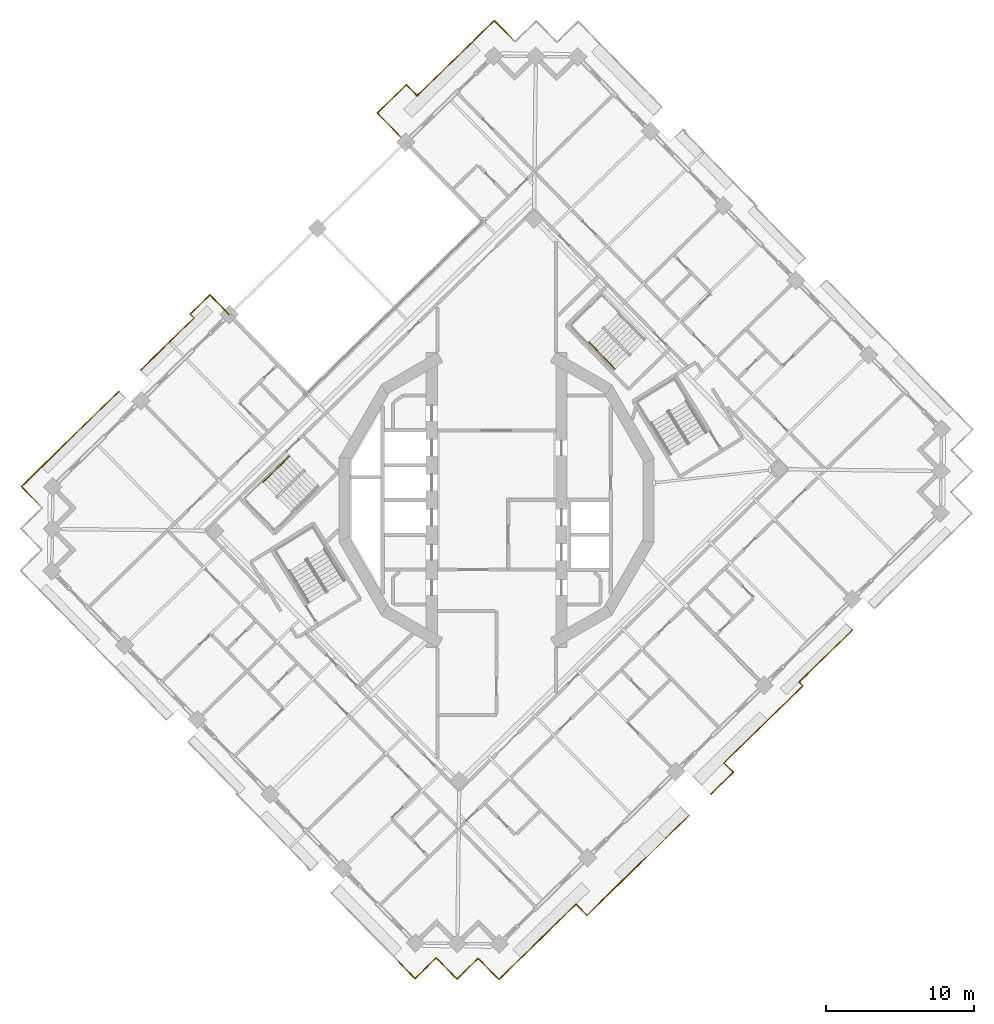
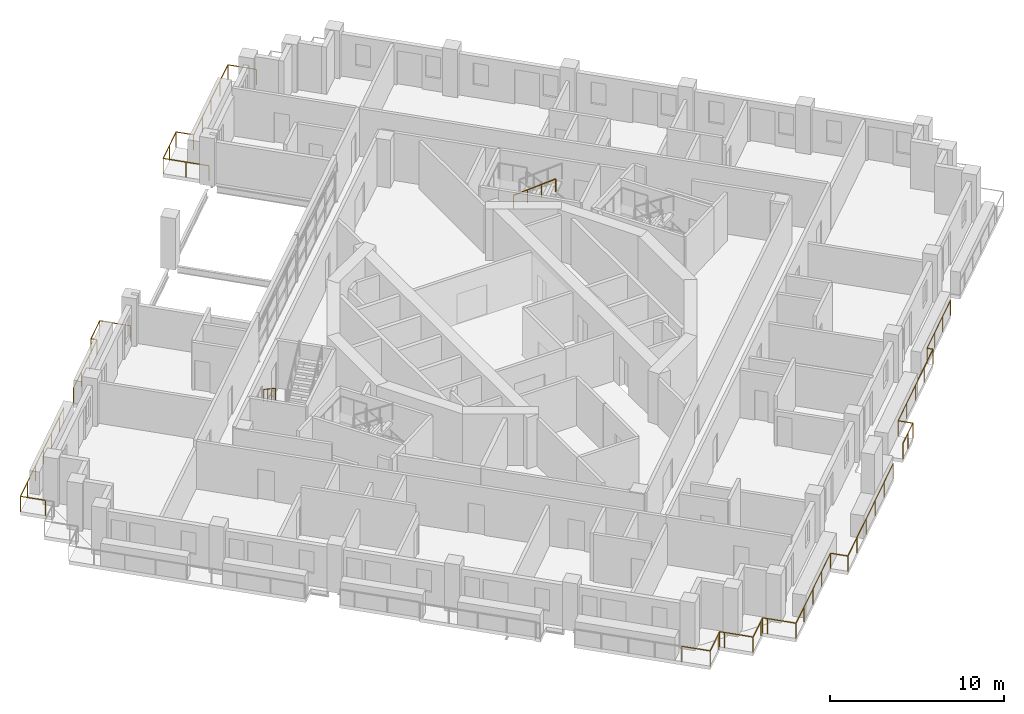
# One storey, part 15 of 18: 8 railings.
"""IFC4 building model written with IfcOpenShell, lengths in metres."""

import ifcopenshell
import ifcopenshell.guid

model = None  # the IFC model being written
_history = None  # IfcOwnerHistory: only IFC2X3 demands one
_inside = {}  # id of a spatial element -> (the spatial element, [elements in it])
_under = {}  # id of a project, library or spatial element -> (it, [spatial elements below it])
_declared = {}  # id of a project -> (the project, [libraries it declares])
_typed = {}  # id of a type object -> (the type object, [elements of that type])
_made_of = {}  # id of a material, layer set ... -> (it, [elements and type objects made of it])


def new_model(schema):
    """Start an empty IFC model of exactly this schema.

    Asked for "IFC4X3", IfcOpenShell would pick the latest addendum, in which some entities
    have other attributes; the version numbers below select the first issue.
    IFC2X3 requires an IfcOwnerHistory on every rooted entity: one is made here for all.
    """
    global model, _history
    if schema == "IFC4X3":
        model = ifcopenshell.file(schema_version=(4, 3, 0, 0))
    else:
        model = ifcopenshell.file(schema=schema)
    _inside.clear()
    _under.clear()
    _declared.clear()
    _typed.clear()
    _made_of.clear()
    _history = None
    if model.schema == "IFC2X3":
        org = make("IfcOrganization", Name="unknown")
        user = make(
            "IfcPersonAndOrganization",
            ThePerson=make("IfcPerson", FamilyName="unknown"),
            TheOrganization=org,
        )
        app = make(
            "IfcApplication",
            ApplicationDeveloper=org,
            Version="unknown",
            ApplicationFullName="unknown",
            ApplicationIdentifier="unknown",
        )
        _history = make(
            "IfcOwnerHistory",
            OwningUser=user,
            OwningApplication=app,
            ChangeAction="ADDED",
            CreationDate=0,
        )
    return model


def make(cls, **values):
    """One entity of the class cls with the attributes given. An attribute that is None is left unset."""
    return model.create_entity(
        cls, **{name: value for name, value in values.items() if value is not None}
    )


def rooted(cls, **values):
    """An entity with a GlobalId (a new one), such as an element, a storey or a relation."""
    return make(cls, GlobalId=ifcopenshell.guid.new(), OwnerHistory=_history, **values)


def si_unit(unit_type, name, prefix=None):
    """IfcSIUnit, for example si_unit("LENGTHUNIT", "METRE", prefix="MILLI")."""
    return make("IfcSIUnit", UnitType=unit_type, Prefix=prefix, Name=name)


def assignment(units):
    """IfcUnitAssignment: the units of a project."""
    return None if units is None else make("IfcUnitAssignment", Units=units)


def point(xyz):
    """IfcCartesianPoint."""
    return None if xyz is None else make("IfcCartesianPoint", Coordinates=xyz)


def direction(xyz):
    """IfcDirection."""
    return None if xyz is None else make("IfcDirection", DirectionRatios=xyz)


def frame(location, z_axis=None, x_axis=None):
    """IfcAxis2Placement3D, a coordinate frame: its origin and axes. An axis left out is left unset."""
    return make(
        "IfcAxis2Placement3D",
        Location=point(location),
        Axis=direction(z_axis),
        RefDirection=direction(x_axis),
    )


def frame_2d(location, x_axis=None):
    """IfcAxis2Placement2D, a coordinate frame in the plane: its origin and x axis."""
    return make(
        "IfcAxis2Placement2D", Location=point(location), RefDirection=direction(x_axis)
    )


def origin():
    """The frame at (0, 0, 0) with its axes left unset."""
    return frame((0.0, 0.0, 0.0))


def origin_2d():
    """The frame at (0, 0) in the plane with its x axis left unset."""
    return frame_2d((0.0, 0.0))


def place(relative_to, where):
    """IfcLocalPlacement: puts the frame where relative to a parent placement (None: the world)."""
    return make(
        "IfcLocalPlacement", PlacementRelTo=relative_to, RelativePlacement=where
    )


def context(
    kind, dimensions, precision=None, world=None, true_north=None, identifier=None
):
    """IfcGeometricRepresentationContext, for example the 3D "Model" context."""
    return make(
        "IfcGeometricRepresentationContext",
        ContextIdentifier=identifier,
        ContextType=kind,
        CoordinateSpaceDimension=dimensions,
        Precision=precision,
        WorldCoordinateSystem=world,
        TrueNorth=true_north,
    )


def subcontext(parent, identifier, kind, view, scale=None):
    """IfcGeometricRepresentationSubContext, for example "Body" below "Model"."""
    return make(
        "IfcGeometricRepresentationSubContext",
        ContextIdentifier=identifier,
        ContextType=kind,
        ParentContext=parent,
        TargetScale=scale,
        TargetView=view,
    )


def project(units=None, contexts=None):
    """IfcProject with its units and contexts."""
    return rooted(
        "IfcProject",
        Name="project",
        RepresentationContexts=contexts,
        UnitsInContext=assignment(units),
    )


def spatial(cls, under=None, at=None, **own):
    """A site, building, storey or space (cls), placed at a placement, below another one or the project."""
    s = rooted(cls, ObjectPlacement=at, **own)
    if under is not None:
        _under.setdefault(under.id(), (under, []))[1].append(s)
    return s


def profile(cls, at=None, kind="AREA", **sizes):
    """A parametric profile (cls). Its sizes go by their IFC names, for example OverallWidth=200.0."""
    return make(cls, ProfileType=kind, Position=at, **sizes)


def circle(**sizes):
    """IfcCircleProfileDef."""
    return profile("IfcCircleProfileDef", **sizes)


def extrude(swept, where, along, depth):
    """IfcExtrudedAreaSolid: the profile swept, set in the frame where, extruded along a direction by depth."""
    return make(
        "IfcExtrudedAreaSolid",
        SweptArea=swept,
        Position=where,
        ExtrudedDirection=direction(along),
        Depth=depth,
    )


def shape(context_of_items, identifier, shape_type, items):
    """IfcShapeRepresentation: the items that make up one representation, for example the "Body"."""
    return make(
        "IfcShapeRepresentation",
        ContextOfItems=context_of_items,
        RepresentationIdentifier=identifier,
        RepresentationType=shape_type,
        Items=items,
    )


def material(Name=None, Category=None):
    """IfcMaterial."""
    return make("IfcMaterial", Name=Name, Category=Category)


def made_of(thing, what):
    """Note that an element or type object is made of a material, layer set ...; save() writes the relation."""
    if what is not None:
        _made_of.setdefault(what.id(), (what, []))[1].append(thing)
    return thing


def type_object(cls, material=None, **own):
    """A type object (cls), such as IfcWallType, which elements share."""
    return made_of(rooted(cls, **own), material)


def element(
    cls,
    number,
    at=None,
    inside=None,
    cuts=None,
    type_object=None,
    material=None,
    context=None,
    identifier="Body",
    shape_type=None,
    held_by="IfcProductDefinitionShape",
    body=None,
    shapes=None,
    **own,
):
    """One element of the class cls, such as IfcWall. Its Tag is "e" and its number.

    at: its placement. inside: the storey or other place that contains it. cuts: it is an
    opening in that element (IfcRelVoidsElement). A single representation is given by context,
    identifier, shape_type and body (its items); several are given by shapes. held_by: the class
    of the entity that holds the representations. save() writes the other relations.
    """
    e = rooted(cls, Tag="e%d" % number, ObjectPlacement=at, **own)
    if body is not None:
        shapes = [shape(context, identifier, shape_type, body)]
    if shapes is not None:
        e.Representation = make(held_by, Representations=shapes)
    if inside is not None:
        _inside.setdefault(inside.id(), (inside, []))[1].append(e)
    if cuts is not None:
        rooted(
            "IfcRelVoidsElement", RelatingBuildingElement=cuts, RelatedOpeningElement=e
        )
    if type_object is not None:
        _typed.setdefault(type_object.id(), (type_object, []))[1].append(e)
    return made_of(e, material)


def aggregate(whole, parts):
    """IfcRelAggregates: a whole, such as a stair, and the parts it consists of."""
    return rooted("IfcRelAggregates", RelatingObject=whole, RelatedObjects=parts)


def save(model, path):
    """Write the relations noted so far, then the file.

    IfcRelAggregates (storeys below a building ...), IfcRelContainedInSpatialStructure (elements
    in a storey), IfcRelDefinesByType, IfcRelAssociatesMaterial and IfcRelDeclares: one each for
    every whole, place, type object, material and project.
    """
    for whole, parts in _under.values():
        aggregate(whole, parts)
    for where, things in _inside.values():
        rooted(
            "IfcRelContainedInSpatialStructure",
            RelatedElements=things,
            RelatingStructure=where,
        )
    for kind, things in _typed.values():
        rooted("IfcRelDefinesByType", RelatedObjects=things, RelatingType=kind)
    for what, things in _made_of.values():
        rooted("IfcRelAssociatesMaterial", RelatedObjects=things, RelatingMaterial=what)
    for by, libraries in _declared.values():
        rooted("IfcRelDeclares", RelatingContext=by, RelatedDefinitions=libraries)
    model.write(path)


model = new_model("IFC4")

# Units and contexts
model_context = context("Model", 3, precision=1e-05, world=origin(), true_north=direction((0.0, 1.0)))
body_context = subcontext(model_context, "Body", "Model", "MODEL_VIEW")
ifc_project = project(units=[si_unit("LENGTHUNIT", "METRE"), si_unit("AREAUNIT", "SQUARE_METRE"), si_unit("VOLUMEUNIT", "CUBIC_METRE"), si_unit("PLANEANGLEUNIT", "RADIAN"), si_unit("MASSUNIT", "GRAM", prefix="KILO")], contexts=[model_context])

# Site, building, storey
site_placement = place(None, origin())
site = spatial("IfcSite", under=ifc_project, at=site_placement, CompositionType="ELEMENT")
building_placement = place(site_placement, origin())
building = spatial("IfcBuilding", under=site, at=building_placement, Name="Cantera Rosa Tower", CompositionType="ELEMENT")
storey_placement = place(building_placement, frame((0.0, 0.0, 219.800048828125)))
storey = spatial("IfcBuildingStorey", under=building, at=storey_placement, Name="L47", CompositionType="ELEMENT", Elevation=219.800048828125)

# Railings
ifc_material_1 = material(Name="Stainless steel and laminated glass", Category="steel")
railing_type_1 = type_object("IfcRailingType", Name="GUARD 1100", PredefinedType="BALUSTRADE", material=ifc_material_1)
railing_1_placement = place(storey_placement, frame((12.980712890625, -21.285400390625, 0.0)))
element("IfcRailing", 1, at=railing_1_placement, inside=storey, type_object=railing_type_1, Name="GUARD L47-2", PredefinedType="BALUSTRADE", context=body_context, shape_type="SweptSolid", body=[
    extrude(circle(Radius=0.030029296875, at=origin_2d()), frame((0.0, 0.0, 1.070068359375), z_axis=(-0.715280162096, -0.698837813596, 0.0), x_axis=(0.698837813596, -0.715280162096, 0.0)), (0.0, 0.0, 1.0), 9.636474609375),
    extrude(circle(Radius=0.030029296875, at=origin_2d()), frame((-6.892822265625, -6.734375, 1.070068359375), z_axis=(-0.698894981682, 0.715224303684, 0.0), x_axis=(-0.715224303684, -0.698894981682, 0.0)), (0.0, 0.0, 1.0), 1.046630859375),
    extrude(circle(Radius=0.030029296875, at=origin_2d()), frame((-7.624267578125, -5.98583984375, 1.070068359375), z_axis=(-0.715294189675, -0.698823455686, 0.0), x_axis=(0.698823455686, -0.715294189675, 0.0)), (0.0, 0.0, 1.0), 5.5732421875),
    extrude(circle(Radius=0.030029296875, at=origin_2d()), frame((-11.61083984375, -9.880615234375, 1.070068359375), z_axis=(-0.715316077832, -0.69880105094, 0.0), x_axis=(0.69880105094, -0.715316077832, 0.0)), (0.0, 0.0, 1.0), 1.699951171875),
    extrude(circle(Radius=0.030029296875, at=origin_2d()), frame((-12.826904296875, -11.068603515625, 1.070068359375), z_axis=(-0.698872839675, 0.715245939495, 0.0), x_axis=(-0.715245939495, -0.698872839675, 0.0)), (0.0, 0.0, 1.0), 1.699951171875),
    extrude(circle(Radius=0.030029296875, at=origin_2d()), frame((-14.014892578125, -9.852783203125, 1.070068359375), z_axis=(-0.698506948293, 0.715603272202, 0.0), x_axis=(-0.715603272202, -0.698506948293, 0.0)), (0.0, 0.0, 1.0), 0.2998046875),
    extrude(circle(Radius=0.030029296875, at=origin_2d()), frame((-14.224365234375, -9.63818359375, 1.070068359375), z_axis=(-0.715196445894, -0.698923489218, 0.0), x_axis=(0.698923489218, -0.715196445894, 0.0)), (0.0, 0.0, 1.0), 0.300048828125),
    extrude(circle(Radius=0.030029296875, at=origin_2d()), frame((-14.43896484375, -9.847900390625, 1.070068359375), z_axis=(-0.715316077832, -0.69880105094, 0.0), x_axis=(0.69880105094, -0.715316077832, 0.0)), (0.0, 0.0, 1.0), 1.699951171875),
    extrude(circle(Radius=0.030029296875, at=origin_2d()), frame((-15.655029296875, -11.035888671875, 1.070068359375), z_axis=(-0.69880105094, 0.715316077832, 0.0), x_axis=(-0.715316077832, -0.69880105094, 0.0)), (0.0, 0.0, 1.0), 1.699951171875),
    extrude(circle(Radius=0.030029296875, at=origin_2d()), frame((-16.843017578125, -9.81982421875, 1.070068359375), z_axis=(-0.698923489218, 0.715196445894, 0.0), x_axis=(-0.715196445894, -0.698923489218, 0.0)), (0.0, 0.0, 1.0), 0.300048828125),
    extrude(circle(Radius=0.030029296875, at=origin_2d()), frame((-17.052734375, -9.605224609375, 1.070068359375), z_axis=(-0.715196445894, -0.698923489218, 0.0), x_axis=(0.698923489218, -0.715196445894, 0.0)), (0.0, 0.0, 1.0), 0.300048828125),
    extrude(circle(Radius=0.030029296875, at=origin_2d()), frame((-17.267333984375, -9.81494140625, 1.070068359375), z_axis=(-0.715316077832, -0.69880105094, 0.0), x_axis=(0.69880105094, -0.715316077832, 0.0)), (0.0, 0.0, 1.0), 1.699951171875),
    extrude(circle(Radius=0.030029296875, at=origin_2d()), frame((-18.4833984375, -11.0029296875, 1.070068359375), z_axis=(-0.69880105094, 0.715316077832, 0.0), x_axis=(-0.715316077832, -0.69880105094, 0.0)), (0.0, 0.0, 1.0), 1.699951171875),
    extrude(circle(Radius=0.02490234375, at=origin_2d()), origin(), (0.0, 0.0, 1.0), 1.0400390625),
    extrude(circle(Radius=0.02490234375, at=origin_2d()), frame((-1.378662109375, -1.346923828125, 0.0)), (0.0, 0.0, 1.0), 1.0400390625),
    extrude(circle(Radius=0.02490234375, at=origin_2d()), frame((-2.757080078125, -2.69384765625, 0.0)), (0.0, 0.0, 1.0), 1.0400390625),
    extrude(circle(Radius=0.02490234375, at=origin_2d()), frame((-4.1357421875, -4.04052734375, 0.0)), (0.0, 0.0, 1.0), 1.0400390625),
    extrude(circle(Radius=0.02490234375, at=origin_2d()), frame((-5.51416015625, -5.387451171875, 0.0)), (0.0, 0.0, 1.0), 1.0400390625),
    extrude(circle(Radius=0.02490234375, at=origin_2d()), frame((-6.892822265625, -6.734375, 0.0)), (0.0, 0.0, 1.0), 1.0400390625),
    extrude(circle(Radius=0.02490234375, at=origin_2d()), frame((-7.624267578125, -5.98583984375, 0.0)), (0.0, 0.0, 1.0), 1.0400390625),
    extrude(circle(Radius=0.02490234375, at=origin_2d()), frame((-8.953125, -7.2841796875, 0.0)), (0.0, 0.0, 1.0), 1.0400390625),
    extrude(circle(Radius=0.02490234375, at=origin_2d()), frame((-10.281982421875, -8.582275390625, 0.0)), (0.0, 0.0, 1.0), 1.0400390625),
    extrude(circle(Radius=0.02490234375, at=origin_2d()), frame((-11.61083984375, -9.880615234375, 0.0)), (0.0, 0.0, 1.0), 1.0400390625),
    extrude(circle(Radius=0.02490234375, at=origin_2d()), frame((-12.826904296875, -11.068603515625, 0.0)), (0.0, 0.0, 1.0), 1.0400390625),
    extrude(circle(Radius=0.02490234375, at=origin_2d()), frame((-14.014892578125, -9.852783203125, 0.0)), (0.0, 0.0, 1.0), 1.0400390625),
    extrude(circle(Radius=0.02490234375, at=origin_2d()), frame((-14.224365234375, -9.63818359375, 0.0)), (0.0, 0.0, 1.0), 1.0400390625),
    extrude(circle(Radius=0.02490234375, at=origin_2d()), frame((-14.43896484375, -9.847900390625, 0.0)), (0.0, 0.0, 1.0), 1.0400390625),
    extrude(circle(Radius=0.02490234375, at=origin_2d()), frame((-15.655029296875, -11.035888671875, 0.0)), (0.0, 0.0, 1.0), 1.0400390625),
    extrude(circle(Radius=0.02490234375, at=origin_2d()), frame((-16.843017578125, -9.81982421875, 0.0)), (0.0, 0.0, 1.0), 1.0400390625),
    extrude(circle(Radius=0.02490234375, at=origin_2d()), frame((-17.052734375, -9.605224609375, 0.0)), (0.0, 0.0, 1.0), 1.0400390625),
    extrude(circle(Radius=0.02490234375, at=origin_2d()), frame((-17.267333984375, -9.81494140625, 0.0)), (0.0, 0.0, 1.0), 1.0400390625),
    extrude(circle(Radius=0.02490234375, at=origin_2d()), frame((-18.4833984375, -11.0029296875, 0.0)), (0.0, 0.0, 1.0), 1.0400390625),
    extrude(circle(Radius=0.02490234375, at=origin_2d()), frame((-19.67138671875, -9.786865234375, 0.0)), (0.0, 0.0, 1.0), 1.0400390625),
])
railing_2_placement = place(storey_placement, frame((-31.0107421875, -0.16943359375, 0.0)))
element("IfcRailing", 2, at=railing_2_placement, inside=storey, type_object=railing_type_1, Name="GUARD L47-4", PredefinedType="BALUSTRADE", context=body_context, shape_type="SweptSolid", body=[
    extrude(circle(Radius=0.030029296875, at=origin_2d()), frame((0.0, 0.0, 1.070068359375), z_axis=(-0.698838323933, 0.71527966349, 0.0), x_axis=(-0.71527966349, -0.698838323933, 0.0)), (0.0, 0.0, 1.0), 1.499755859375),
    extrude(circle(Radius=0.030029296875, at=origin_2d()), frame((-1.048095703125, 1.07275390625, 1.070068359375), z_axis=(0.71519829713, 0.698921594874, 0.0), x_axis=(-0.698921594874, 0.71519829713, 0.0)), (0.0, 0.0, 1.0), 1.5),
    extrude(circle(Radius=0.030029296875, at=origin_2d()), frame((0.024658203125, 2.12109375, 1.070068359375), z_axis=(0.715292116391, 0.698825577829, 0.0), x_axis=(-0.698825577829, 0.715292116391, 0.0)), (0.0, 0.0, 1.0), 6.820068359375),
    extrude(circle(Radius=0.030029296875, at=origin_2d()), frame((4.903076171875, 6.88720703125, 1.070068359375), z_axis=(0.715337030636, 0.698779602308, 0.0), x_axis=(-0.698779602308, 0.715337030636, 0.0)), (0.0, 0.0, 1.0), 0.869873046875),
    extrude(circle(Radius=0.02490234375, at=origin_2d()), origin(), (0.0, 0.0, 1.0), 1.0400390625),
    extrude(circle(Radius=0.02490234375, at=origin_2d()), frame((-1.048095703125, 1.07275390625, 0.0)), (0.0, 0.0, 1.0), 1.0400390625),
    extrude(circle(Radius=0.02490234375, at=origin_2d()), frame((0.024658203125, 2.12109375, 0.0)), (0.0, 0.0, 1.0), 1.0400390625),
    extrude(circle(Radius=0.02490234375, at=origin_2d()), frame((1.244140625, 3.3125, 0.0)), (0.0, 0.0, 1.0), 1.0400390625),
    extrude(circle(Radius=0.02490234375, at=origin_2d()), frame((2.4638671875, 4.504150390625, 0.0)), (0.0, 0.0, 1.0), 1.0400390625),
    extrude(circle(Radius=0.02490234375, at=origin_2d()), frame((3.68359375, 5.69580078125, 0.0)), (0.0, 0.0, 1.0), 1.0400390625),
    extrude(circle(Radius=0.02490234375, at=origin_2d()), frame((4.903076171875, 6.88720703125, 0.0)), (0.0, 0.0, 1.0), 1.0400390625),
    extrude(circle(Radius=0.02490234375, at=origin_2d()), frame((5.525390625, 7.4951171875, 0.0)), (0.0, 0.0, 1.0), 1.0400390625),
])
railing_3_placement = place(storey_placement, frame((-20.669189453125, 12.537841796875, 0.0)))
element("IfcRailing", 3, at=railing_3_placement, inside=storey, type_object=railing_type_1, Name="GUARD L47-6", PredefinedType="BALUSTRADE", context=body_context, shape_type="SweptSolid", body=[
    extrude(circle(Radius=0.030029296875, at=origin_2d()), frame((0.0, 0.0, 1.070068359375), z_axis=(0.715251228248, 0.698867426978, 0.0), x_axis=(-0.698867426978, 0.715251228248, 0.0)), (0.0, 0.0, 1.0), 1.862548828125),
    extrude(circle(Radius=0.030029296875, at=origin_2d()), frame((1.332275390625, 1.3017578125, 1.070068359375), z_axis=(0.698777368066, -0.715339213156, 0.0), x_axis=(0.715339213156, 0.698777368066, 0.0)), (0.0, 0.0, 1.0), 1.842529296875),
    extrude(circle(Radius=0.02490234375, at=origin_2d()), origin(), (0.0, 0.0, 1.0), 1.0400390625),
    extrude(circle(Radius=0.02490234375, at=origin_2d()), frame((1.332275390625, 1.3017578125, 0.0)), (0.0, 0.0, 1.0), 1.0400390625),
    extrude(circle(Radius=0.02490234375, at=origin_2d()), frame((2.619873046875, -0.016357421875, 0.0)), (0.0, 0.0, 1.0), 1.0400390625),
])
railing_4_placement = place(storey_placement, frame((-24.011962890625, 8.765380859375, 0.0)))
element("IfcRailing", 4, at=railing_4_placement, inside=storey, type_object=railing_type_1, Name="GUARD L47-7", PredefinedType="BALUSTRADE", context=body_context, shape_type="SweptSolid", body=[
    extrude(circle(Radius=0.030029296875, at=origin_2d()), frame((0.0, 0.0, 1.070068359375), z_axis=(0.715781948377, 0.698323852075, 0.0), x_axis=(-0.698323852075, 0.715781948377, 0.0)), (0.0, 0.0, 1.0), 0.06982421875),
    extrude(circle(Radius=0.030029296875, at=origin_2d()), frame((0.050048828125, 0.048828125, 1.070068359375), z_axis=(0.715307478522, 0.698809853372, 0.0), x_axis=(-0.698809853372, 0.715307478522, 0.0)), (0.0, 0.0, 1.0), 4.95751953125),
    extrude(circle(Radius=0.030029296875, at=origin_2d()), frame((3.59619140625, 3.51318359375, 1.070068359375), z_axis=(-0.698979914653, 0.715141299963, 0.0), x_axis=(-0.715141299963, -0.698979914653, 0.0)), (0.0, 0.0, 1.0), 0.362548828125),
    extrude(circle(Radius=0.02490234375, at=origin_2d()), origin(), (0.0, 0.0, 1.0), 1.0400390625),
    extrude(circle(Radius=0.02490234375, at=origin_2d()), frame((0.050048828125, 0.048828125, 0.0)), (0.0, 0.0, 1.0), 1.0400390625),
    extrude(circle(Radius=0.02490234375, at=origin_2d()), frame((1.232177734375, 1.20361328125, 0.0)), (0.0, 0.0, 1.0), 1.0400390625),
    extrude(circle(Radius=0.02490234375, at=origin_2d()), frame((2.4140625, 2.3583984375, 0.0)), (0.0, 0.0, 1.0), 1.0400390625),
    extrude(circle(Radius=0.02490234375, at=origin_2d()), frame((3.59619140625, 3.51318359375, 0.0)), (0.0, 0.0, 1.0), 1.0400390625),
    extrude(circle(Radius=0.02490234375, at=origin_2d()), frame((3.3427734375, 3.7724609375, 0.0)), (0.0, 0.0, 1.0), 1.0400390625),
])
railing_5_placement = place(storey_placement, frame((24.011962890625, -8.765380859375, 0.0)))
element("IfcRailing", 5, at=railing_5_placement, inside=storey, type_object=railing_type_1, Name="GUARD L47-8", PredefinedType="BALUSTRADE", context=body_context, shape_type="SweptSolid", body=[
    extrude(circle(Radius=0.030029296875, at=origin_2d()), frame((0.0, 0.0, 1.070068359375), z_axis=(-0.715781948377, -0.698323852075, 0.0), x_axis=(0.698323852075, -0.715781948377, 0.0)), (0.0, 0.0, 1.0), 0.06982421875),
    extrude(circle(Radius=0.030029296875, at=origin_2d()), frame((-0.050048828125, -0.048828125, 1.070068359375), z_axis=(-0.715307478522, -0.698809853372, 0.0), x_axis=(0.698809853372, -0.715307478522, 0.0)), (0.0, 0.0, 1.0), 4.95751953125),
    extrude(circle(Radius=0.030029296875, at=origin_2d()), frame((-3.59619140625, -3.51318359375, 1.070068359375), z_axis=(0.698979914653, -0.715141299963, 0.0), x_axis=(0.715141299963, 0.698979914653, 0.0)), (0.0, 0.0, 1.0), 0.362548828125),
    extrude(circle(Radius=0.030029296875, at=origin_2d()), frame((-3.3427734375, -3.7724609375, 1.070068359375), z_axis=(-0.715283428382, -0.698834470445, 0.0), x_axis=(0.698834470445, -0.715283428382, 0.0)), (0.0, 0.0, 1.0), 7.43603515625),
    extrude(circle(Radius=0.030029296875, at=origin_2d()), frame((-8.66162109375, -8.968994140625, 1.070068359375), z_axis=(0.698772394349, -0.715344071685, 0.0), x_axis=(0.715344071685, 0.698772394349, 0.0)), (0.0, 0.0, 1.0), 0.884033203125),
    extrude(circle(Radius=0.030029296875, at=origin_2d()), frame((-8.0439453125, -9.601318359375, 1.070068359375), z_axis=(-0.715248787586, -0.698869924848, 0.0), x_axis=(0.698869924848, -0.715248787586, 0.0)), (0.0, 0.0, 1.0), 2.11669921875),
    extrude(circle(Radius=0.02490234375, at=origin_2d()), origin(), (0.0, 0.0, 1.0), 1.0400390625),
    extrude(circle(Radius=0.02490234375, at=origin_2d()), frame((-0.050048828125, -0.048828125, 0.0)), (0.0, 0.0, 1.0), 1.0400390625),
    extrude(circle(Radius=0.02490234375, at=origin_2d()), frame((-1.232177734375, -1.20361328125, 0.0)), (0.0, 0.0, 1.0), 1.0400390625),
    extrude(circle(Radius=0.02490234375, at=origin_2d()), frame((-2.4140625, -2.3583984375, 0.0)), (0.0, 0.0, 1.0), 1.0400390625),
    extrude(circle(Radius=0.02490234375, at=origin_2d()), frame((-3.59619140625, -3.51318359375, 0.0)), (0.0, 0.0, 1.0), 1.0400390625),
    extrude(circle(Radius=0.02490234375, at=origin_2d()), frame((-3.3427734375, -3.7724609375, 0.0)), (0.0, 0.0, 1.0), 1.0400390625),
    extrude(circle(Radius=0.02490234375, at=origin_2d()), frame((-4.67236328125, -5.071533203125, 0.0)), (0.0, 0.0, 1.0), 1.0400390625),
    extrude(circle(Radius=0.02490234375, at=origin_2d()), frame((-6.002197265625, -6.37060546875, 0.0)), (0.0, 0.0, 1.0), 1.0400390625),
    extrude(circle(Radius=0.02490234375, at=origin_2d()), frame((-7.33203125, -7.669921875, 0.0)), (0.0, 0.0, 1.0), 1.0400390625),
    extrude(circle(Radius=0.02490234375, at=origin_2d()), frame((-8.66162109375, -8.968994140625, 0.0)), (0.0, 0.0, 1.0), 1.0400390625),
    extrude(circle(Radius=0.02490234375, at=origin_2d()), frame((-8.0439453125, -9.601318359375, 0.0)), (0.0, 0.0, 1.0), 1.0400390625),
    extrude(circle(Radius=0.02490234375, at=origin_2d()), frame((-8.80078125, -10.3408203125, 0.0)), (0.0, 0.0, 1.0), 1.0400390625),
    extrude(circle(Radius=0.02490234375, at=origin_2d()), frame((-9.557861328125, -11.08056640625, 0.0)), (0.0, 0.0, 1.0), 1.0400390625),
])
railing_6_placement = place(storey_placement, frame((-6.14697265625, 24.150146484375, 0.0)))
element("IfcRailing", 6, at=railing_6_placement, inside=storey, type_object=railing_type_1, Name="GUARD L47-12", PredefinedType="BALUSTRADE", context=body_context, shape_type="SweptSolid", body=[
    extrude(circle(Radius=0.030029296875, at=origin_2d()), frame((0.0, 0.0, 1.070068359375), z_axis=(-0.698866327323, 0.715252302711, 0.0), x_axis=(-0.715252302711, -0.698866327323, 0.0)), (0.0, 0.0, 1.0), 2.7265625),
    extrude(circle(Radius=0.030029296875, at=origin_2d()), frame((-1.905517578125, 1.9501953125, 1.070068359375), z_axis=(0.715281109499, 0.698836843902, 0.0), x_axis=(-0.698836843902, 0.715281109499, 0.0)), (0.0, 0.0, 1.0), 2.74658203125),
    extrude(circle(Radius=0.030029296875, at=origin_2d()), frame((0.05908203125, 3.86962890625, 1.070068359375), z_axis=(0.698894981682, -0.715224303684, 0.0), x_axis=(0.715224303684, 0.698894981682, 0.0)), (0.0, 0.0, 1.0), 1.046630859375),
    extrude(circle(Radius=0.030029296875, at=origin_2d()), frame((0.79052734375, 3.12109375, 1.070068359375), z_axis=(0.715294189675, 0.698823455686, 0.0), x_axis=(-0.698823455686, 0.715294189675, 0.0)), (0.0, 0.0, 1.0), 5.5732421875),
    extrude(circle(Radius=0.030029296875, at=origin_2d()), frame((4.777099609375, 7.015869140625, 1.070068359375), z_axis=(0.715316077832, 0.69880105094, 0.0), x_axis=(-0.69880105094, 0.715316077832, 0.0)), (0.0, 0.0, 1.0), 1.699951171875),
    extrude(circle(Radius=0.030029296875, at=origin_2d()), frame((5.9931640625, 8.203857421875, 1.070068359375), z_axis=(0.698872839675, -0.715245939495, 0.0), x_axis=(0.715245939495, 0.698872839675, 0.0)), (0.0, 0.0, 1.0), 1.699951171875),
    extrude(circle(Radius=0.02490234375, at=origin_2d()), origin(), (0.0, 0.0, 1.0), 1.0400390625),
    extrude(circle(Radius=0.02490234375, at=origin_2d()), frame((-0.95263671875, 0.97509765625, 0.0)), (0.0, 0.0, 1.0), 1.0400390625),
    extrude(circle(Radius=0.02490234375, at=origin_2d()), frame((-1.905517578125, 1.9501953125, 0.0)), (0.0, 0.0, 1.0), 1.0400390625),
    extrude(circle(Radius=0.02490234375, at=origin_2d()), frame((-0.92333984375, 2.909912109375, 0.0)), (0.0, 0.0, 1.0), 1.0400390625),
    extrude(circle(Radius=0.02490234375, at=origin_2d()), frame((0.05908203125, 3.86962890625, 0.0)), (0.0, 0.0, 1.0), 1.0400390625),
    extrude(circle(Radius=0.02490234375, at=origin_2d()), frame((0.79052734375, 3.12109375, 0.0)), (0.0, 0.0, 1.0), 1.0400390625),
    extrude(circle(Radius=0.02490234375, at=origin_2d()), frame((2.119384765625, 4.41943359375, 0.0)), (0.0, 0.0, 1.0), 1.0400390625),
    extrude(circle(Radius=0.02490234375, at=origin_2d()), frame((3.4482421875, 5.717529296875, 0.0)), (0.0, 0.0, 1.0), 1.0400390625),
    extrude(circle(Radius=0.02490234375, at=origin_2d()), frame((4.777099609375, 7.015869140625, 0.0)), (0.0, 0.0, 1.0), 1.0400390625),
    extrude(circle(Radius=0.02490234375, at=origin_2d()), frame((5.9931640625, 8.203857421875, 0.0)), (0.0, 0.0, 1.0), 1.0400390625),
    extrude(circle(Radius=0.02490234375, at=origin_2d()), frame((7.18115234375, 6.988037109375, 0.0)), (0.0, 0.0, 1.0), 1.0400390625),
])
ifc_material_2 = material(Name="Steel S355J2 (EN 10025-2)", Category="steel")
railing_type_2 = type_object("IfcRailingType", Name="STAIR HANDRAIL 900", PredefinedType="HANDRAIL", material=ifc_material_2)
railing_7_placement = place(storey_placement, frame((6.23388671875, 10.64013671875, 1.97998046875)))
element("IfcRailing", 7, at=railing_7_placement, inside=storey, type_object=railing_type_2, Name="L47 ST-42 stair handrail 2", PredefinedType="HANDRAIL", context=body_context, shape_type="SweptSolid", body=[
    extrude(circle(Radius=0.02392578125, at=origin_2d()), frame((0.0, 0.0, 0.8759765625), z_axis=(0.587844099419, -0.60169873645, 0.540738333515), x_axis=(0.715293958342, 0.698823692472, 0.0)), (0.0, 0.0, 1.0), 2.99560546875),
    extrude(circle(Radius=0.02099609375, at=origin_2d()), origin(), (0.0, 0.0, 1.0), 0.851806640625),
    extrude(circle(Radius=0.02099609375, at=origin_2d()), frame((0.5869140625, -0.600830078125, 0.5400390625)), (0.0, 0.0, 1.0), 0.851806640625),
    extrude(circle(Radius=0.02099609375, at=origin_2d()), frame((1.174072265625, -1.20166015625, 1.079833984375)), (0.0, 0.0, 1.0), 0.851806640625),
    extrude(circle(Radius=0.02099609375, at=origin_2d()), frame((1.760986328125, -1.802490234375, 1.619873046875)), (0.0, 0.0, 1.0), 0.851806640625),
])
railing_8_placement = place(storey_placement, frame((-13.95947265625, 2.9619140625, 0.179931640625)))
element("IfcRailing", 8, at=railing_8_placement, inside=storey, type_object=railing_type_2, Name="L47 ST-43 stair handrail 1", PredefinedType="HANDRAIL", context=body_context, shape_type="SweptSolid", body=[
    extrude(circle(Radius=0.02392578125, at=origin_2d()), frame((0.0, 0.0, 0.8759765625), z_axis=(-0.601672219931, -0.587818193466, 0.54079599776), x_axis=(0.698823692472, -0.715293958342, 0.0)), (0.0, 0.0, 1.0), 2.995849609375),
    extrude(circle(Radius=0.02099609375, at=origin_2d()), origin(), (0.0, 0.0, 1.0), 0.851806640625),
    extrude(circle(Radius=0.02099609375, at=origin_2d()), frame((-0.600830078125, -0.5869140625, 0.5400390625)), (0.0, 0.0, 1.0), 0.851806640625),
    extrude(circle(Radius=0.02099609375, at=origin_2d()), frame((-1.20166015625, -1.174072265625, 1.080078125)), (0.0, 0.0, 1.0), 0.851806640625),
    extrude(circle(Radius=0.02099609375, at=origin_2d()), frame((-1.802490234375, -1.760986328125, 1.6201171875)), (0.0, 0.0, 1.0), 0.851806640625),
])

save(model, "model.ifc")
